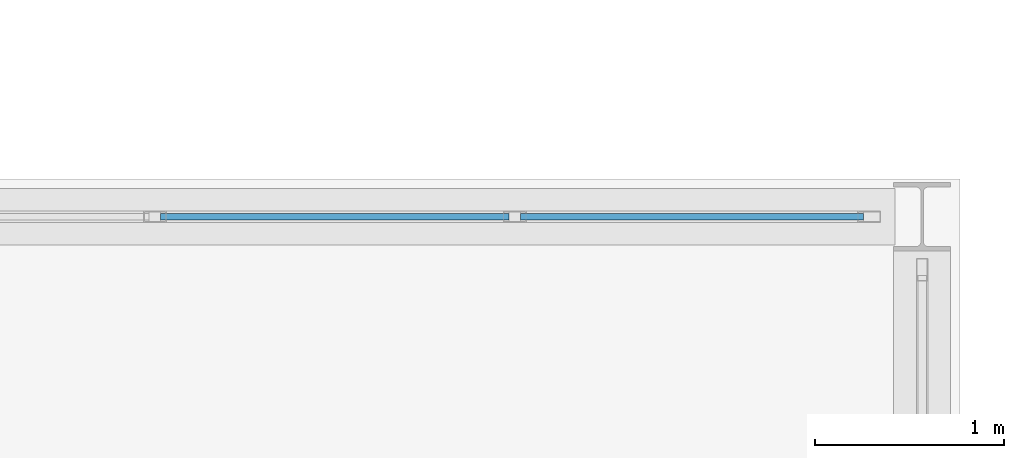
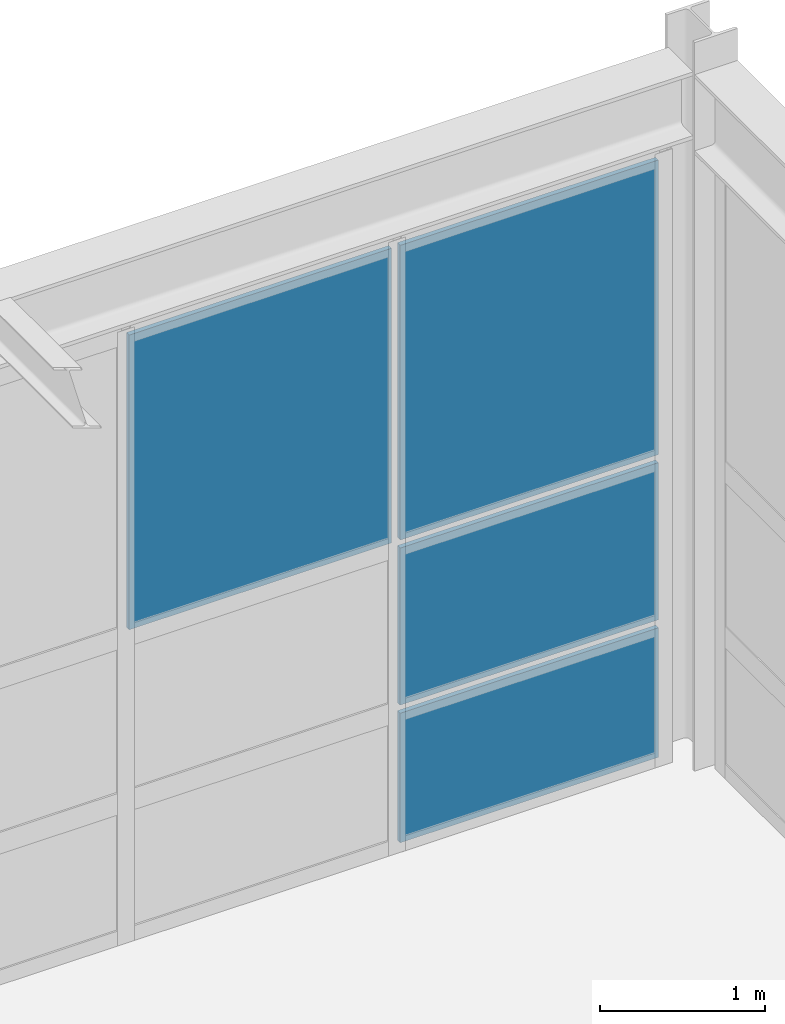
# One storey, part 198 of 239: 4 plates, 1 element without a shape of its own.
"""IFC4 building model written with IfcOpenShell, lengths in metres."""

from ifc_helpers import new_model, si_unit, direction, frame, origin, origin_2d, place, context, subcontext, project, spatial, rectangle, extrude, material, type_object, element, aggregate, save


model = new_model("IFC4")

# Units and contexts
model_context = context("Model", 3, precision=1e-05, world=origin(), true_north=direction((0.0, 1.0)))
body_context = subcontext(model_context, "Body", "Model", "MODEL_VIEW")
ifc_project = project(units=[si_unit("LENGTHUNIT", "METRE"), si_unit("AREAUNIT", "SQUARE_METRE"), si_unit("VOLUMEUNIT", "CUBIC_METRE"), si_unit("PLANEANGLEUNIT", "RADIAN"), si_unit("MASSUNIT", "GRAM", prefix="KILO")], contexts=[model_context])

# Site, building, storey
site_placement = place(None, origin())
site = spatial("IfcSite", under=ifc_project, at=site_placement, CompositionType="ELEMENT")
building_placement = place(site_placement, origin())
building = spatial("IfcBuilding", under=site, at=building_placement, Name="Kaldris Quays Convention Centre", CompositionType="ELEMENT")
storey_placement = place(building_placement, frame((0.0, 0.0, 11.39990234375)))
storey = spatial("IfcBuildingStorey", under=building, at=storey_placement, Name="L02", CompositionType="ELEMENT", Elevation=11.39990234375)

# Curtain wall, plates
ifc_material_1 = material(Name="Anodized aluminium AW-6060 and triple glazing", Category="aluminium")
curtain_wall_type = type_object("IfcCurtainWallType", Name="UNITISED CURTAIN WALL CW06", PredefinedType="NOTDEFINED", material=ifc_material_1)
curtain_wall_placement = place(storey_placement, origin())
curtain_wall = element("IfcCurtainWall", 1, at=curtain_wall_placement, inside=storey, type_object=curtain_wall_type, Name="L02 Unitised Curtain Wall CW06 170", PredefinedType="NOTDEFINED")
ifc_material_2 = material(Name="Triple low-E insulated glazing", Category="glass")
plate_type = type_object("IfcPlateType", Name="CURTAIN GLAZING PANEL CWP2", PredefinedType="CURTAIN_PANEL", material=ifc_material_2)
plate_1_placement = place(storey_placement, frame((190.89990234375, 116.0, 2.303955078125), z_axis=(0.0, 0.0, 1.0), x_axis=(1.0, 0.0, 0.0)))
plate_1 = element("IfcPlate", 2, at=plate_1_placement, type_object=plate_type, Name="CW06 panel 4.3", PredefinedType="CURTAIN_PANEL", context=body_context, shape_type="SweptSolid", body=[
    extrude(rectangle(XDim=1.840087890625, YDim=0.033935546875, at=origin_2d()), origin(), (0.0, 0.0, 1.0), 2.18408203125),
])
plate_2_placement = place(storey_placement, frame((192.784912109375, 116.0, 0.06005859375), z_axis=(0.0, 0.0, 1.0), x_axis=(1.0, 0.0, 0.0)))
plate_2 = element("IfcPlate", 3, at=plate_2_placement, type_object=plate_type, Name="CW06 panel 5.1", PredefinedType="CURTAIN_PANEL", context=body_context, shape_type="SweptSolid", body=[
    extrude(rectangle(XDim=1.81005859375, YDim=0.033935546875, at=origin_2d()), origin(), (0.0, 0.0, 1.0), 0.9599609375),
])
plate_3_placement = place(storey_placement, frame((192.784912109375, 116.0, 1.080078125), z_axis=(0.0, 0.0, 1.0), x_axis=(1.0, 0.0, 0.0)))
plate_3 = element("IfcPlate", 4, at=plate_3_placement, type_object=plate_type, Name="CW06 panel 5.2", PredefinedType="CURTAIN_PANEL", context=body_context, shape_type="SweptSolid", body=[
    extrude(rectangle(XDim=1.81005859375, YDim=0.033935546875, at=origin_2d()), origin(), (0.0, 0.0, 1.0), 1.1640625),
])
plate_4_placement = place(storey_placement, frame((192.784912109375, 116.0, 2.303955078125), z_axis=(0.0, 0.0, 1.0), x_axis=(1.0, 0.0, 0.0)))
plate_4 = element("IfcPlate", 5, at=plate_4_placement, type_object=plate_type, Name="CW06 panel 5.3", PredefinedType="CURTAIN_PANEL", context=body_context, shape_type="SweptSolid", body=[
    extrude(rectangle(XDim=1.81005859375, YDim=0.033935546875, at=origin_2d()), origin(), (0.0, 0.0, 1.0), 2.18408203125),
])
aggregate(curtain_wall, [plate_1, plate_2, plate_3, plate_4])

save(model, "model.ifc")
